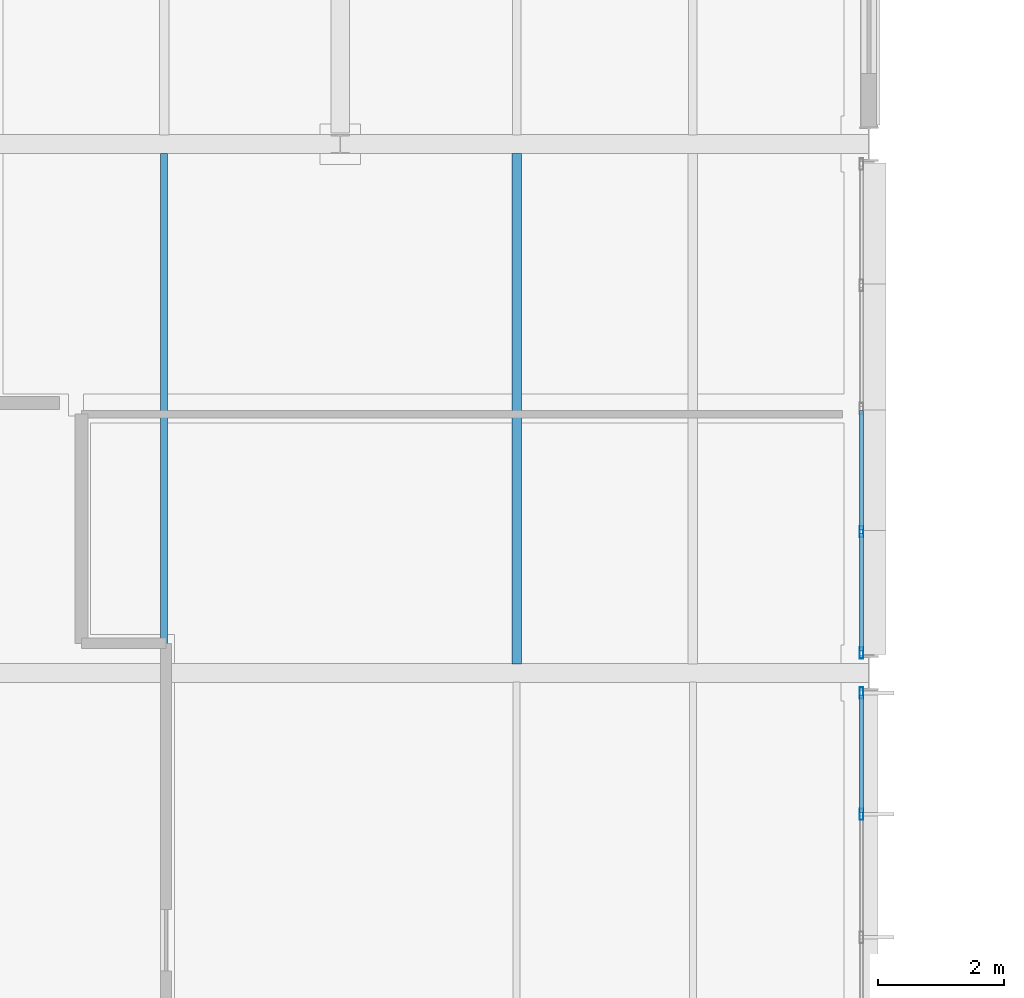
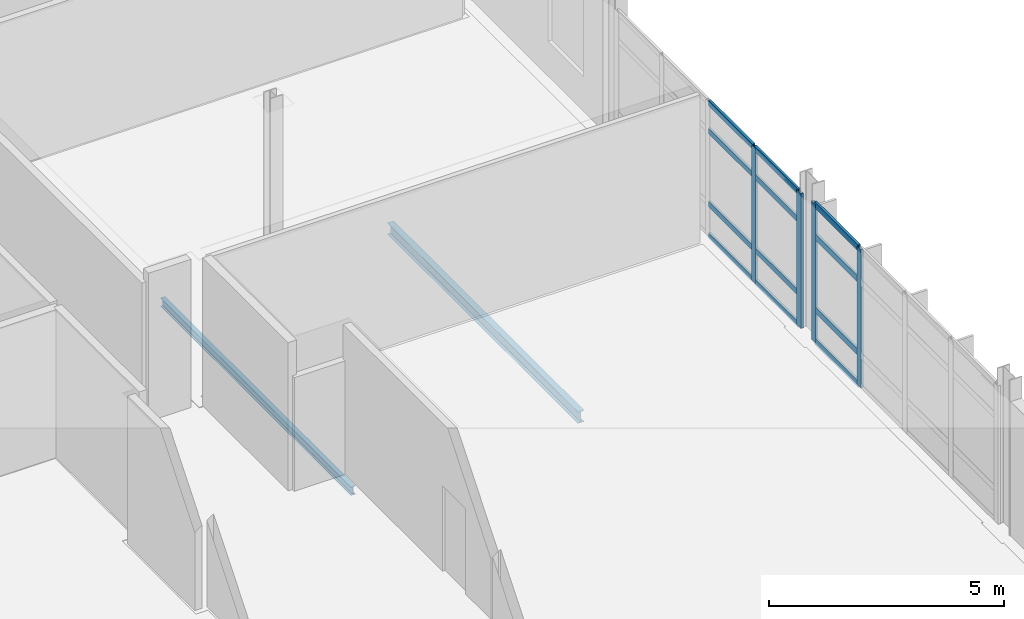
# One storey, part 38 of 103: 16 members, 2 beams, 2 elements without a shape of their own.
"""IFC4 building model written with IfcOpenShell, lengths in metres."""

import ifcopenshell
import ifcopenshell.guid

model = None  # the IFC model being written
_history = None  # IfcOwnerHistory: only IFC2X3 demands one
_inside = {}  # id of a spatial element -> (the spatial element, [elements in it])
_under = {}  # id of a project, library or spatial element -> (it, [spatial elements below it])
_declared = {}  # id of a project -> (the project, [libraries it declares])
_typed = {}  # id of a type object -> (the type object, [elements of that type])
_made_of = {}  # id of a material, layer set ... -> (it, [elements and type objects made of it])


def new_model(schema):
    """Start an empty IFC model of exactly this schema.

    Asked for "IFC4X3", IfcOpenShell would pick the latest addendum, in which some entities
    have other attributes; the version numbers below select the first issue.
    IFC2X3 requires an IfcOwnerHistory on every rooted entity: one is made here for all.
    """
    global model, _history
    if schema == "IFC4X3":
        model = ifcopenshell.file(schema_version=(4, 3, 0, 0))
    else:
        model = ifcopenshell.file(schema=schema)
    _inside.clear()
    _under.clear()
    _declared.clear()
    _typed.clear()
    _made_of.clear()
    _history = None
    if model.schema == "IFC2X3":
        org = make("IfcOrganization", Name="unknown")
        user = make(
            "IfcPersonAndOrganization",
            ThePerson=make("IfcPerson", FamilyName="unknown"),
            TheOrganization=org,
        )
        app = make(
            "IfcApplication",
            ApplicationDeveloper=org,
            Version="unknown",
            ApplicationFullName="unknown",
            ApplicationIdentifier="unknown",
        )
        _history = make(
            "IfcOwnerHistory",
            OwningUser=user,
            OwningApplication=app,
            ChangeAction="ADDED",
            CreationDate=0,
        )
    return model


def make(cls, **values):
    """One entity of the class cls with the attributes given. An attribute that is None is left unset."""
    return model.create_entity(
        cls, **{name: value for name, value in values.items() if value is not None}
    )


def rooted(cls, **values):
    """An entity with a GlobalId (a new one), such as an element, a storey or a relation."""
    return make(cls, GlobalId=ifcopenshell.guid.new(), OwnerHistory=_history, **values)


def si_unit(unit_type, name, prefix=None):
    """IfcSIUnit, for example si_unit("LENGTHUNIT", "METRE", prefix="MILLI")."""
    return make("IfcSIUnit", UnitType=unit_type, Prefix=prefix, Name=name)


def assignment(units):
    """IfcUnitAssignment: the units of a project."""
    return None if units is None else make("IfcUnitAssignment", Units=units)


def point(xyz):
    """IfcCartesianPoint."""
    return None if xyz is None else make("IfcCartesianPoint", Coordinates=xyz)


def direction(xyz):
    """IfcDirection."""
    return None if xyz is None else make("IfcDirection", DirectionRatios=xyz)


def frame(location, z_axis=None, x_axis=None):
    """IfcAxis2Placement3D, a coordinate frame: its origin and axes. An axis left out is left unset."""
    return make(
        "IfcAxis2Placement3D",
        Location=point(location),
        Axis=direction(z_axis),
        RefDirection=direction(x_axis),
    )


def frame_2d(location, x_axis=None):
    """IfcAxis2Placement2D, a coordinate frame in the plane: its origin and x axis."""
    return make(
        "IfcAxis2Placement2D", Location=point(location), RefDirection=direction(x_axis)
    )


def origin():
    """The frame at (0, 0, 0) with its axes left unset."""
    return frame((0.0, 0.0, 0.0))


def origin_2d():
    """The frame at (0, 0) in the plane with its x axis left unset."""
    return frame_2d((0.0, 0.0))


def place(relative_to, where):
    """IfcLocalPlacement: puts the frame where relative to a parent placement (None: the world)."""
    return make(
        "IfcLocalPlacement", PlacementRelTo=relative_to, RelativePlacement=where
    )


def context(
    kind, dimensions, precision=None, world=None, true_north=None, identifier=None
):
    """IfcGeometricRepresentationContext, for example the 3D "Model" context."""
    return make(
        "IfcGeometricRepresentationContext",
        ContextIdentifier=identifier,
        ContextType=kind,
        CoordinateSpaceDimension=dimensions,
        Precision=precision,
        WorldCoordinateSystem=world,
        TrueNorth=true_north,
    )


def subcontext(parent, identifier, kind, view, scale=None):
    """IfcGeometricRepresentationSubContext, for example "Body" below "Model"."""
    return make(
        "IfcGeometricRepresentationSubContext",
        ContextIdentifier=identifier,
        ContextType=kind,
        ParentContext=parent,
        TargetScale=scale,
        TargetView=view,
    )


def project(units=None, contexts=None):
    """IfcProject with its units and contexts."""
    return rooted(
        "IfcProject",
        Name="project",
        RepresentationContexts=contexts,
        UnitsInContext=assignment(units),
    )


def spatial(cls, under=None, at=None, **own):
    """A site, building, storey or space (cls), placed at a placement, below another one or the project."""
    s = rooted(cls, ObjectPlacement=at, **own)
    if under is not None:
        _under.setdefault(under.id(), (under, []))[1].append(s)
    return s


def profile(cls, at=None, kind="AREA", **sizes):
    """A parametric profile (cls). Its sizes go by their IFC names, for example OverallWidth=200.0."""
    return make(cls, ProfileType=kind, Position=at, **sizes)


def hollow_rectangle(**sizes):
    """IfcRectangleHollowProfileDef."""
    return profile("IfcRectangleHollowProfileDef", **sizes)


def i_section(**sizes):
    """IfcIShapeProfileDef."""
    return profile("IfcIShapeProfileDef", **sizes)


def extrude(swept, where, along, depth):
    """IfcExtrudedAreaSolid: the profile swept, set in the frame where, extruded along a direction by depth."""
    return make(
        "IfcExtrudedAreaSolid",
        SweptArea=swept,
        Position=where,
        ExtrudedDirection=direction(along),
        Depth=depth,
    )


def shape(context_of_items, identifier, shape_type, items):
    """IfcShapeRepresentation: the items that make up one representation, for example the "Body"."""
    return make(
        "IfcShapeRepresentation",
        ContextOfItems=context_of_items,
        RepresentationIdentifier=identifier,
        RepresentationType=shape_type,
        Items=items,
    )


def material(Name=None, Category=None):
    """IfcMaterial."""
    return make("IfcMaterial", Name=Name, Category=Category)


def material_profile(
    of_material, cross_section, Name=None, Category=None, Priority=None
):
    """IfcMaterialProfile: a cross section and its material."""
    return make(
        "IfcMaterialProfile",
        Name=Name,
        Material=of_material,
        Profile=cross_section,
        Priority=Priority,
        Category=Category,
    )


def profile_set(profiles, Name=None, composite=None):
    """IfcMaterialProfileSet."""
    return make(
        "IfcMaterialProfileSet",
        Name=Name,
        MaterialProfiles=profiles,
        CompositeProfile=composite,
    )


def made_of(thing, what):
    """Note that an element or type object is made of a material, layer set ...; save() writes the relation."""
    if what is not None:
        _made_of.setdefault(what.id(), (what, []))[1].append(thing)
    return thing


def type_object(cls, material=None, **own):
    """A type object (cls), such as IfcWallType, which elements share."""
    return made_of(rooted(cls, **own), material)


def element(
    cls,
    number,
    at=None,
    inside=None,
    cuts=None,
    type_object=None,
    material=None,
    context=None,
    identifier="Body",
    shape_type=None,
    held_by="IfcProductDefinitionShape",
    body=None,
    shapes=None,
    **own,
):
    """One element of the class cls, such as IfcWall. Its Tag is "e" and its number.

    at: its placement. inside: the storey or other place that contains it. cuts: it is an
    opening in that element (IfcRelVoidsElement). A single representation is given by context,
    identifier, shape_type and body (its items); several are given by shapes. held_by: the class
    of the entity that holds the representations. save() writes the other relations.
    """
    e = rooted(cls, Tag="e%d" % number, ObjectPlacement=at, **own)
    if body is not None:
        shapes = [shape(context, identifier, shape_type, body)]
    if shapes is not None:
        e.Representation = make(held_by, Representations=shapes)
    if inside is not None:
        _inside.setdefault(inside.id(), (inside, []))[1].append(e)
    if cuts is not None:
        rooted(
            "IfcRelVoidsElement", RelatingBuildingElement=cuts, RelatedOpeningElement=e
        )
    if type_object is not None:
        _typed.setdefault(type_object.id(), (type_object, []))[1].append(e)
    return made_of(e, material)


def aggregate(whole, parts):
    """IfcRelAggregates: a whole, such as a stair, and the parts it consists of."""
    return rooted("IfcRelAggregates", RelatingObject=whole, RelatedObjects=parts)


def save(model, path):
    """Write the relations noted so far, then the file.

    IfcRelAggregates (storeys below a building ...), IfcRelContainedInSpatialStructure (elements
    in a storey), IfcRelDefinesByType, IfcRelAssociatesMaterial and IfcRelDeclares: one each for
    every whole, place, type object, material and project.
    """
    for whole, parts in _under.values():
        aggregate(whole, parts)
    for where, things in _inside.values():
        rooted(
            "IfcRelContainedInSpatialStructure",
            RelatedElements=things,
            RelatingStructure=where,
        )
    for kind, things in _typed.values():
        rooted("IfcRelDefinesByType", RelatedObjects=things, RelatingType=kind)
    for what, things in _made_of.values():
        rooted("IfcRelAssociatesMaterial", RelatedObjects=things, RelatingMaterial=what)
    for by, libraries in _declared.values():
        rooted("IfcRelDeclares", RelatingContext=by, RelatedDefinitions=libraries)
    model.write(path)


model = new_model("IFC4")

# Units and contexts
model_context = context("Model", 3, precision=1e-05, world=origin(), true_north=direction((0.0, 1.0)))
body_context = subcontext(model_context, "Body", "Model", "MODEL_VIEW")
ifc_project = project(units=[si_unit("LENGTHUNIT", "METRE"), si_unit("AREAUNIT", "SQUARE_METRE"), si_unit("VOLUMEUNIT", "CUBIC_METRE"), si_unit("PLANEANGLEUNIT", "RADIAN"), si_unit("MASSUNIT", "GRAM", prefix="KILO")], contexts=[model_context])

# Site, building, storey
site_placement = place(None, origin())
site = spatial("IfcSite", under=ifc_project, at=site_placement, CompositionType="ELEMENT")
building_placement = place(site_placement, origin())
building = spatial("IfcBuilding", under=site, at=building_placement, Name="Mersafa Astral City Hall", CompositionType="ELEMENT")
storey_placement = place(building_placement, frame((0.0, 0.0, 18.0)))
storey = spatial("IfcBuildingStorey", under=building, at=storey_placement, Name="L04", CompositionType="ELEMENT", Elevation=18.0)

# Curtain wall, members
ifc_material_1 = material(Name="Anodised bronze aluminium framing", Category="aluminium")
curtain_wall_type_1 = type_object("IfcCurtainWallType", Name="ENV-CW-5", PredefinedType="USERDEFINED", material=ifc_material_1)
curtain_wall_1_placement = place(storey_placement, origin())
curtain_wall_1 = element("IfcCurtainWall", 1, at=curtain_wall_1_placement, inside=storey, type_object=curtain_wall_type_1, Name="L04 Unitised solar curtain wall 214", ObjectType="UNITISED CURTAIN WALL", PredefinedType="USERDEFINED")
ifc_material_profile_1 = material_profile(ifc_material_1, hollow_rectangle(XDim=0.06005859375, YDim=0.179931640625, WallThickness=0.00390625, at=origin_2d()), Name="RHS 60x180x4")
ifc_profile_set_1 = profile_set([ifc_material_profile_1], Name="Anodised bronze aluminium framing")
member_type_1 = type_object("IfcMemberType", Name="ENV-CW-MUL-1", PredefinedType="MULLION", material=ifc_profile_set_1)
member_1_placement = place(storey_placement, frame((117.47998046875, 81.756591796875, -0.001953125), z_axis=(0.0, 0.0, 1.0), x_axis=(-1.0, 0.0, 0.0)))
member_1 = element("IfcMember", 2, at=member_1_placement, type_object=member_type_1, Name="CW-5 mullion 4", PredefinedType="MULLION", context=body_context, shape_type="SweptSolid", body=[
    extrude(hollow_rectangle(XDim=0.06005859375, YDim=0.179931640625, WallThickness=0.00390625, at=origin_2d()), origin(), (0.0, 0.0, 1.0), 3.598876953125),
])
member_2_placement = place(storey_placement, frame((117.47998046875, 83.68310546875, -0.001953125), z_axis=(0.0, 0.0, 1.0), x_axis=(-1.0, 0.0, 0.0)))
member_2 = element("IfcMember", 3, at=member_2_placement, type_object=member_type_1, Name="CW-5 mullion 5", PredefinedType="MULLION", context=body_context, shape_type="SweptSolid", body=[
    extrude(hollow_rectangle(XDim=0.06005859375, YDim=0.179931640625, WallThickness=0.00390625, at=origin_2d()), origin(), (0.0, 0.0, 1.0), 3.598876953125),
])

curtain_wall_type_2 = type_object("IfcCurtainWallType", Name="ENV-CW-6", PredefinedType="USERDEFINED", material=ifc_material_1)
curtain_wall_2_placement = place(storey_placement, origin())
curtain_wall_2 = element("IfcCurtainWall", 4, at=curtain_wall_2_placement, inside=storey, type_object=curtain_wall_type_2, Name="L04 Unitised solar curtain wall 215", ObjectType="UNITISED CURTAIN WALL", PredefinedType="USERDEFINED")
member_3_placement = place(storey_placement, frame((117.47998046875, 84.31689453125, -0.001953125), z_axis=(0.0, 0.0, 1.0), x_axis=(-1.0, 0.0, 0.0)))
member_3 = element("IfcMember", 5, at=member_3_placement, type_object=member_type_1, Name="CW-6 mullion 1", PredefinedType="MULLION", context=body_context, shape_type="SweptSolid", body=[
    extrude(hollow_rectangle(XDim=0.06005859375, YDim=0.179931640625, WallThickness=0.00390625, at=origin_2d()), origin(), (0.0, 0.0, 1.0), 3.509033203125),
])
member_4_placement = place(storey_placement, frame((117.47998046875, 86.243408203125, -0.001953125), z_axis=(0.0, 0.0, 1.0), x_axis=(-1.0, 0.0, 0.0)))
member_4 = element("IfcMember", 6, at=member_4_placement, type_object=member_type_1, Name="CW-6 mullion 2", PredefinedType="MULLION", context=body_context, shape_type="SweptSolid", body=[
    extrude(hollow_rectangle(XDim=0.06005859375, YDim=0.179931640625, WallThickness=0.00390625, at=origin_2d()), origin(), (0.0, 0.0, 1.0), 3.509033203125),
])
ifc_material_profile_2 = material_profile(ifc_material_1, hollow_rectangle(XDim=0.06005859375, YDim=0.139892578125, WallThickness=0.00390625, at=origin_2d()), Name="RHS 60x140x4")
ifc_profile_set_2 = profile_set([ifc_material_profile_2], Name="Anodised bronze aluminium framing")
member_type_2 = type_object("IfcMemberType", Name="ENV-CW-TRN-1", PredefinedType="USERDEFINED", material=ifc_profile_set_2)
member_5_placement = place(storey_placement, frame((117.47998046875, 84.346923828125, 0.028076171875), z_axis=(0.0, 1.0, 0.0), x_axis=(-1.0, 0.0, 0.0)))
member_5 = element("IfcMember", 7, at=member_5_placement, type_object=member_type_2, Name="CW-6 transom 1.1", ObjectType="TRANSOM", PredefinedType="USERDEFINED", context=body_context, shape_type="SweptSolid", body=[
    extrude(hollow_rectangle(XDim=0.06005859375, YDim=0.139892578125, WallThickness=0.00390625, at=origin_2d()), origin(), (0.0, 0.0, 1.0), 1.866455078125),
])
member_6_placement = place(storey_placement, frame((117.47998046875, 84.346923828125, 0.85009765625), z_axis=(0.0, 1.0, 0.0), x_axis=(-1.0, 0.0, 0.0)))
member_6 = element("IfcMember", 8, at=member_6_placement, type_object=member_type_2, Name="CW-6 transom 1.2", ObjectType="TRANSOM", PredefinedType="USERDEFINED", context=body_context, shape_type="SweptSolid", body=[
    extrude(hollow_rectangle(XDim=0.06005859375, YDim=0.139892578125, WallThickness=0.00390625, at=origin_2d()), origin(), (0.0, 0.0, 1.0), 1.866455078125),
])
member_7_placement = place(storey_placement, frame((117.47998046875, 84.346923828125, 2.75), z_axis=(0.0, 1.0, 0.0), x_axis=(-1.0, 0.0, 0.0)))
member_7 = element("IfcMember", 9, at=member_7_placement, type_object=member_type_2, Name="CW-6 transom 1.3", ObjectType="TRANSOM", PredefinedType="USERDEFINED", context=body_context, shape_type="SweptSolid", body=[
    extrude(hollow_rectangle(XDim=0.06005859375, YDim=0.139892578125, WallThickness=0.00390625, at=origin_2d()), origin(), (0.0, 0.0, 1.0), 1.866455078125),
])
member_8_placement = place(storey_placement, frame((117.47998046875, 84.346923828125, 3.47705078125), z_axis=(0.0, 1.0, 0.0), x_axis=(-1.0, 0.0, 0.0)))
member_8 = element("IfcMember", 10, at=member_8_placement, type_object=member_type_2, Name="CW-6 transom 1.4", ObjectType="TRANSOM", PredefinedType="USERDEFINED", context=body_context, shape_type="SweptSolid", body=[
    extrude(hollow_rectangle(XDim=0.06005859375, YDim=0.139892578125, WallThickness=0.00390625, at=origin_2d()), origin(), (0.0, 0.0, 1.0), 1.866455078125),
])
member_9_placement = place(storey_placement, frame((117.47998046875, 86.2734375, 0.028076171875), z_axis=(0.0, 1.0, 0.0), x_axis=(-1.0, 0.0, 0.0)))
member_9 = element("IfcMember", 11, at=member_9_placement, type_object=member_type_2, Name="CW-6 transom 2.1", ObjectType="TRANSOM", PredefinedType="USERDEFINED", context=body_context, shape_type="SweptSolid", body=[
    extrude(hollow_rectangle(XDim=0.06005859375, YDim=0.139892578125, WallThickness=0.00390625, at=origin_2d()), origin(), (0.0, 0.0, 1.0), 1.896484375),
])
member_10_placement = place(storey_placement, frame((117.47998046875, 86.2734375, 0.85009765625), z_axis=(0.0, 1.0, 0.0), x_axis=(-1.0, 0.0, 0.0)))
member_10 = element("IfcMember", 12, at=member_10_placement, type_object=member_type_2, Name="CW-6 transom 2.2", ObjectType="TRANSOM", PredefinedType="USERDEFINED", context=body_context, shape_type="SweptSolid", body=[
    extrude(hollow_rectangle(XDim=0.06005859375, YDim=0.139892578125, WallThickness=0.00390625, at=origin_2d()), origin(), (0.0, 0.0, 1.0), 1.896484375),
])
member_11_placement = place(storey_placement, frame((117.47998046875, 86.2734375, 2.75), z_axis=(0.0, 1.0, 0.0), x_axis=(-1.0, 0.0, 0.0)))
member_11 = element("IfcMember", 13, at=member_11_placement, type_object=member_type_2, Name="CW-6 transom 2.3", ObjectType="TRANSOM", PredefinedType="USERDEFINED", context=body_context, shape_type="SweptSolid", body=[
    extrude(hollow_rectangle(XDim=0.06005859375, YDim=0.139892578125, WallThickness=0.00390625, at=origin_2d()), origin(), (0.0, 0.0, 1.0), 1.896484375),
])
member_12_placement = place(storey_placement, frame((117.47998046875, 86.2734375, 3.47705078125), z_axis=(0.0, 1.0, 0.0), x_axis=(-1.0, 0.0, 0.0)))
member_12 = element("IfcMember", 14, at=member_12_placement, type_object=member_type_2, Name="CW-6 transom 2.4", ObjectType="TRANSOM", PredefinedType="USERDEFINED", context=body_context, shape_type="SweptSolid", body=[
    extrude(hollow_rectangle(XDim=0.06005859375, YDim=0.139892578125, WallThickness=0.00390625, at=origin_2d()), origin(), (0.0, 0.0, 1.0), 1.896484375),
])
aggregate(curtain_wall_2, [member_3, member_4, member_5, member_6, member_7, member_8, member_9, member_10, member_11, member_12])

# Member
ifc_material_profile_3 = material_profile(ifc_material_1, hollow_rectangle(XDim=0.06005859375, YDim=0.159912109375, WallThickness=0.00390625, at=origin_2d()), Name="RHS 60x160x4")
ifc_profile_set_3 = profile_set([ifc_material_profile_3], Name="Anodised bronze aluminium framing")
member_type_3 = type_object("IfcMemberType", Name="ENV-CW-TRN-2", PredefinedType="USERDEFINED", material=ifc_profile_set_3)
member_13_placement = place(storey_placement, frame((117.47998046875, 81.78662109375, 0.028076171875), z_axis=(0.0, 1.0, 0.0), x_axis=(-1.0, 0.0, 0.0)))
member_13 = element("IfcMember", 15, at=member_13_placement, type_object=member_type_3, Name="CW-5 transom 4.1", ObjectType="TRANSOM", PredefinedType="USERDEFINED", context=body_context, shape_type="SweptSolid", body=[
    extrude(hollow_rectangle(XDim=0.06005859375, YDim=0.159912109375, WallThickness=0.00390625, at=origin_2d()), origin(), (0.0, 0.0, 1.0), 1.866455078125),
])

member_14_placement = place(storey_placement, frame((117.47998046875, 81.78662109375, 0.85009765625), z_axis=(0.0, 1.0, 0.0), x_axis=(-1.0, 0.0, 0.0)))
member_14 = element("IfcMember", 16, at=member_14_placement, type_object=member_type_3, Name="CW-5 transom 4.2", ObjectType="TRANSOM", PredefinedType="USERDEFINED", context=body_context, shape_type="SweptSolid", body=[
    extrude(hollow_rectangle(XDim=0.06005859375, YDim=0.159912109375, WallThickness=0.00390625, at=origin_2d()), origin(), (0.0, 0.0, 1.0), 1.866455078125),
])

member_15_placement = place(storey_placement, frame((117.47998046875, 81.78662109375, 2.75), z_axis=(0.0, 1.0, 0.0), x_axis=(-1.0, 0.0, 0.0)))
member_15 = element("IfcMember", 17, at=member_15_placement, type_object=member_type_3, Name="CW-5 transom 4.3", ObjectType="TRANSOM", PredefinedType="USERDEFINED", context=body_context, shape_type="SweptSolid", body=[
    extrude(hollow_rectangle(XDim=0.06005859375, YDim=0.159912109375, WallThickness=0.00390625, at=origin_2d()), origin(), (0.0, 0.0, 1.0), 1.866455078125),
])

member_16_placement = place(storey_placement, frame((117.47998046875, 81.78662109375, 3.56689453125), z_axis=(0.0, 1.0, 0.0), x_axis=(-1.0, 0.0, 0.0)))
member_16 = element("IfcMember", 18, at=member_16_placement, type_object=member_type_3, Name="CW-5 transom 4.4", ObjectType="TRANSOM", PredefinedType="USERDEFINED", context=body_context, shape_type="SweptSolid", body=[
    extrude(hollow_rectangle(XDim=0.06005859375, YDim=0.159912109375, WallThickness=0.00390625, at=origin_2d()), origin(), (0.0, 0.0, 1.0), 1.866455078125),
])

aggregate(curtain_wall_1, [member_1, member_2, member_13, member_14, member_15, member_16])

# Beams
ifc_material_2 = material(Name="Steel S355", Category="steel")
ifc_material_profile_4 = material_profile(ifc_material_2, i_section(OverallWidth=0.110107421875, OverallDepth=0.219970703125, WebThickness=0.005859375, FlangeThickness=0.00927734375, FilletRadius=0.011962890625, at=origin_2d()), Name="IPE 220")
ifc_profile_set_4 = profile_set([ifc_material_profile_4], Name="Steel S355")
beam_type_1 = type_object("IfcBeamType", Name="STR-BM-JOIST-IPE220", PredefinedType="JOIST", material=ifc_profile_set_4)
beam_1_placement = place(storey_placement, frame((106.39990234375, 84.14501953125, -0.294921875), z_axis=(0.0, 1.0, 0.0), x_axis=(-1.0, 0.0, 0.0)))
element("IfcBeam", 19, at=beam_1_placement, inside=storey, type_object=beam_type_1, Name="L04 Composite secondary floor joist 723", PredefinedType="JOIST", context=body_context, shape_type="SweptSolid", body=[
    extrude(i_section(OverallWidth=0.110107421875, OverallDepth=0.219970703125, WebThickness=0.005859375, FlangeThickness=0.00927734375, FilletRadius=0.011962890625, at=origin_2d()), origin(), (0.0, 0.0, 1.0), 8.10986328125),
])
ifc_material_profile_5 = material_profile(ifc_material_2, i_section(OverallWidth=0.14990234375, OverallDepth=0.300048828125, WebThickness=0.007080078125, FlangeThickness=0.0107421875, FilletRadius=0.014892578125, at=origin_2d()), Name="IPE 300")
ifc_profile_set_5 = profile_set([ifc_material_profile_5], Name="Steel S355")
beam_type_2 = type_object("IfcBeamType", Name="STR-BM-JOIST-IPE300", PredefinedType="JOIST", material=ifc_profile_set_5)
beam_2_placement = place(storey_placement, frame((112.0, 84.14501953125, -0.3349609375), z_axis=(0.0, 1.0, 0.0), x_axis=(-1.0, 0.0, 0.0)))
element("IfcBeam", 20, at=beam_2_placement, inside=storey, type_object=beam_type_2, Name="L04 Composite secondary floor joist 736", PredefinedType="JOIST", context=body_context, shape_type="SweptSolid", body=[
    extrude(i_section(OverallWidth=0.14990234375, OverallDepth=0.300048828125, WebThickness=0.007080078125, FlangeThickness=0.0107421875, FilletRadius=0.014892578125, at=origin_2d()), origin(), (0.0, 0.0, 1.0), 8.10986328125),
])

save(model, "model.ifc")
